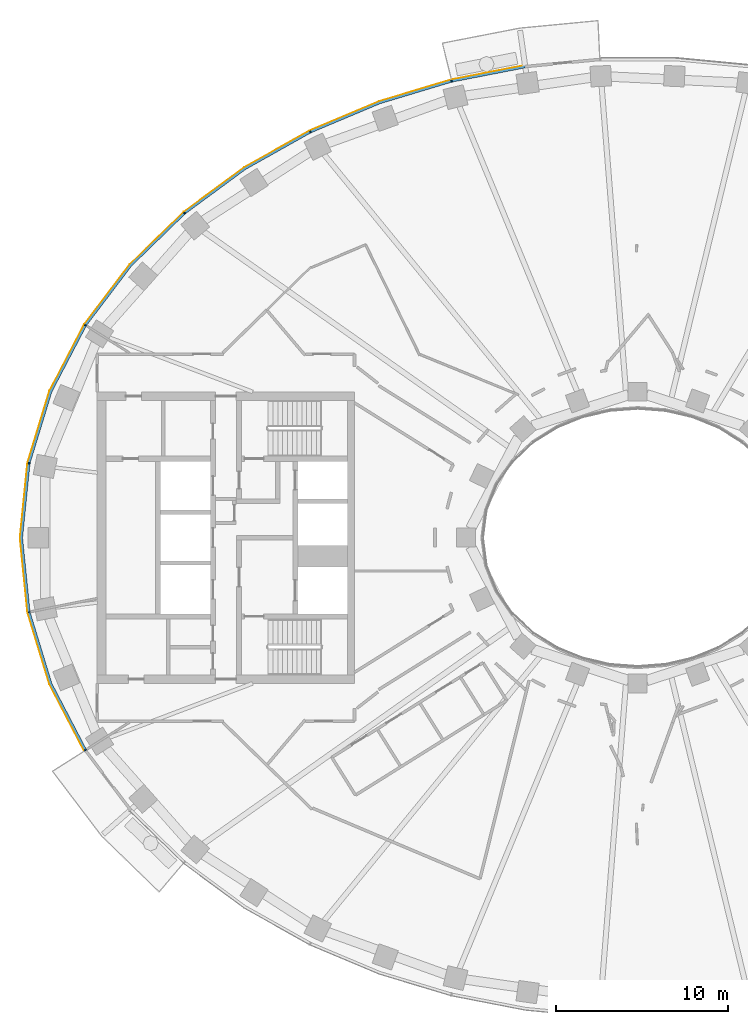
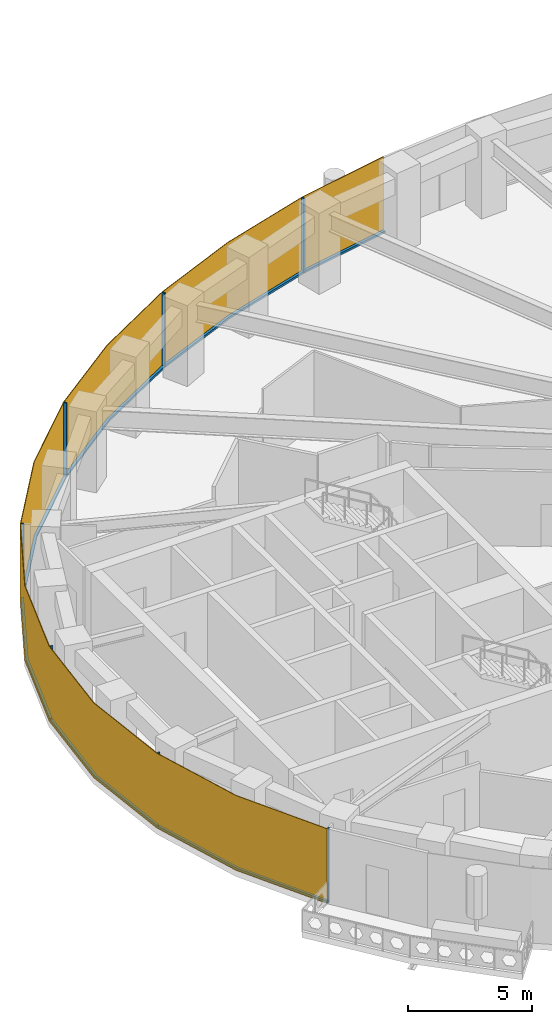
# One storey, part 11 of 16: 14 members, 1 curtain wall.
"""IFC4 building model written with IfcOpenShell, lengths in metres."""

from ifc_helpers import new_model, si_unit, direction, frame, origin, origin_2d, place, context, subcontext, project, spatial, polyline, rectangle, outline, extrude, material, layer, layer_set, material_profile, profile_set, type_object, element, aggregate, save


model = new_model("IFC4")

# Units and contexts
model_context = context("Model", 3, precision=1e-05, world=origin(), true_north=direction((0.0, 1.0)))
body_context = subcontext(model_context, "Body", "Model", "MODEL_VIEW")
ifc_project = project(units=[si_unit("LENGTHUNIT", "METRE"), si_unit("AREAUNIT", "SQUARE_METRE"), si_unit("VOLUMEUNIT", "CUBIC_METRE"), si_unit("PLANEANGLEUNIT", "RADIAN"), si_unit("MASSUNIT", "GRAM", prefix="KILO")], contexts=[model_context])

# Member
ifc_material_1 = material(Name="Aluminium 6063-T6 black anodised", Category="aluminium")
ifc_material_profile = material_profile(ifc_material_1, rectangle(XDim=0.1201171875, YDim=0.06005859375, at=origin_2d()), Name="120x60")
ifc_profile_set = profile_set([ifc_material_profile], Name="Aluminium 6063-T6 black anodised")
member_type_1 = type_object("IfcMemberType", Name="ENV-MULLION-A-120", PredefinedType="MULLION", material=ifc_profile_set)
site_placement = place(None, origin())
building_placement = place(site_placement, origin())
storey_placement = place(building_placement, frame((0.0, 0.0, 150.0)))
member_1_placement = place(storey_placement, frame((-10.84326171875, 26.60498046875, 0.0), z_axis=(0.0, 0.0, 1.0), x_axis=(0.239799081534, -0.970822538106, 0.0)))
member_1 = element("IfcMember", 1, at=member_1_placement, type_object=member_type_1, Name="Mullion A radial 15", PredefinedType="MULLION", context=body_context, shape_type="SweptSolid", body=[
    extrude(rectangle(XDim=0.1201171875, YDim=0.06005859375, at=origin_2d()), origin(), (0.0, 0.0, 1.0), 3.699951171875),
])

member_2_placement = place(storey_placement, frame((-19.06787109375, 23.6474609375, 0.0), z_axis=(0.0, 0.0, 1.0), x_axis=(0.439237769837, -0.898370848563, 0.0)))
member_2 = element("IfcMember", 2, at=member_2_placement, type_object=member_type_1, Name="Mullion A radial 17", PredefinedType="MULLION", context=body_context, shape_type="SweptSolid", body=[
    extrude(rectangle(XDim=0.1201171875, YDim=0.06005859375, at=origin_2d()), origin(), (0.0, 0.0, 1.0), 3.699951171875),
])

member_3_placement = place(storey_placement, frame((-26.403564453125, 18.9130859375, 0.0), z_axis=(0.0, 0.0, 1.0), x_axis=(0.646451313783, -0.762955240435, 0.0)))
member_3 = element("IfcMember", 3, at=member_3_placement, type_object=member_type_1, Name="Mullion A radial 19", PredefinedType="MULLION", context=body_context, shape_type="SweptSolid", body=[
    extrude(rectangle(XDim=0.1201171875, YDim=0.06005859375, at=origin_2d()), origin(), (0.0, 0.0, 1.0), 3.699951171875),
])

member_4_placement = place(storey_placement, frame((-32.177490234375, 12.385498046875, 0.0), z_axis=(0.0, 0.0, 1.0), x_axis=(0.844829880882, -0.53503501976, 0.0)))
member_4 = element("IfcMember", 4, at=member_4_placement, type_object=member_type_1, Name="Mullion A radial 21", PredefinedType="MULLION", context=body_context, shape_type="SweptSolid", body=[
    extrude(rectangle(XDim=0.1201171875, YDim=0.06005859375, at=origin_2d()), origin(), (0.0, 0.0, 1.0), 3.699951171875),
])

member_5_placement = place(storey_placement, frame((-35.470947265625, 4.340576171875, 0.0), z_axis=(0.0, 0.0, 1.0), x_axis=(0.980379083141, -0.19712141776, 0.0)))
member_5 = element("IfcMember", 5, at=member_5_placement, type_object=member_type_1, Name="Mullion A radial 23", PredefinedType="MULLION", context=body_context, shape_type="SweptSolid", body=[
    extrude(rectangle(XDim=0.1201171875, YDim=0.06005859375, at=origin_2d()), origin(), (0.0, 0.0, 1.0), 3.699951171875),
])

member_6_placement = place(storey_placement, frame((-35.470947265625, -4.340576171875, 0.0), z_axis=(0.0, 0.0, 1.0), x_axis=(0.980379083141, 0.19712141776, 0.0)))
member_6 = element("IfcMember", 6, at=member_6_placement, type_object=member_type_1, Name="Mullion A radial 25", PredefinedType="MULLION", context=body_context, shape_type="SweptSolid", body=[
    extrude(rectangle(XDim=0.1201171875, YDim=0.06005859375, at=origin_2d()), origin(), (0.0, 0.0, 1.0), 3.699951171875),
])

member_7_placement = place(storey_placement, frame((-32.177490234375, -12.385498046875, 0.0), z_axis=(0.0, 0.0, 1.0), x_axis=(0.844829880882, 0.53503501976, 0.0)))
member_7 = element("IfcMember", 7, at=member_7_placement, type_object=member_type_1, Name="Mullion A radial 27", PredefinedType="MULLION", context=body_context, shape_type="SweptSolid", body=[
    extrude(rectangle(XDim=0.1201171875, YDim=0.06005859375, at=origin_2d()), origin(), (0.0, 0.0, 1.0), 3.699951171875),
])

ifc_material_2 = material(Name="Aluminium 6063-T6 black anodised", Category="aluminium")
member_type_2 = type_object("IfcMemberType", Name="ENV-TRANSOM-A", PredefinedType="USERDEFINED", material=ifc_material_2)
member_8_placement = place(storey_placement, origin())
member_8 = element("IfcMember", 8, at=member_8_placement, type_object=member_type_2, Name="Transom A radial 14-15", ObjectType="TRANSOM", PredefinedType="USERDEFINED", context=body_context, shape_type="SweptSolid", body=[
    extrude(outline(polyline([(-6.57470703125, 27.49560546875), (-10.830078125, 26.66845703125), (-10.80126953125, 26.552001953125), (-6.5576171875, 27.376708984375), (-6.57470703125, 27.49560546875)])), origin(), (0.0, 0.0, 1.0), 0.10009765625),
])

member_9_placement = place(storey_placement, origin())
member_9 = element("IfcMember", 9, at=member_9_placement, type_object=member_type_2, Name="Transom A radial 15-17", ObjectType="TRANSOM", PredefinedType="USERDEFINED", context=body_context, shape_type="SweptSolid", body=[
    extrude(outline(polyline([(-10.884521484375, 26.655029296875), (-15.054443359375, 25.400146484375), (-19.068359375, 23.71240234375), (-19.015380859375, 23.604248046875), (-15.013916015625, 25.287109375), (-10.855712890625, 26.53857421875), (-10.884521484375, 26.655029296875)])), origin(), (0.0, 0.0, 1.0), 0.10009765625),
])

member_10_placement = place(storey_placement, origin())
member_10 = element("IfcMember", 10, at=member_10_placement, type_object=member_type_2, Name="Transom A radial 17-19", ObjectType="TRANSOM", PredefinedType="USERDEFINED", context=body_context, shape_type="SweptSolid", body=[
    extrude(outline(polyline([(-19.11865234375, 23.687744140625), (-22.9150390625, 21.556884765625), (-26.419921875, 18.975341796875), (-26.342041015625, 18.883544921875), (-22.85009765625, 21.455810546875), (-19.06591796875, 23.57958984375), (-19.11865234375, 23.687744140625)])), origin(), (0.0, 0.0, 1.0), 0.10009765625),
])

member_11_placement = place(storey_placement, origin())
member_11 = element("IfcMember", 11, at=member_11_placement, type_object=member_type_2, Name="Transom A radial 19-21", ObjectType="TRANSOM", PredefinedType="USERDEFINED", context=body_context, shape_type="SweptSolid", body=[
    extrude(outline(polyline([(-26.46240234375, 18.939208984375), (-29.58349609375, 15.906982421875), (-32.211181640625, 12.43994140625), (-32.109375, 12.37548828125), (-29.493408203125, 15.8271484375), (-26.384765625, 18.847412109375), (-26.46240234375, 18.939208984375)])), origin(), (0.0, 0.0, 1.0), 0.10009765625),
])

member_12_placement = place(storey_placement, origin())
member_12 = element("IfcMember", 12, at=member_12_placement, type_object=member_type_2, Name="Transom A radial 21-23", ObjectType="TRANSOM", PredefinedType="USERDEFINED", context=body_context, shape_type="SweptSolid", body=[
    extrude(outline(polyline([(-32.240966796875, 12.392578125), (-34.251220703125, 8.53662109375), (-35.521484375, 4.379150390625), (-35.4033203125, 4.355224609375), (-34.139892578125, 8.490966796875), (-32.139404296875, 12.328369140625), (-32.240966796875, 12.392578125)])), origin(), (0.0, 0.0, 1.0), 0.10009765625),
])

member_13_placement = place(storey_placement, origin())
member_13 = element("IfcMember", 13, at=member_13_placement, type_object=member_type_2, Name="Transom A radial 23-25", ObjectType="TRANSOM", PredefinedType="USERDEFINED", context=body_context, shape_type="SweptSolid", body=[
    extrude(outline(polyline([(-35.532470703125, 4.324462890625), (-35.9677734375, 0.0), (-35.532470703125, -4.324462890625), (-35.414306640625, -4.30078125), (-35.84716796875, 0.0), (-35.414306640625, 4.30078125), (-35.532470703125, 4.324462890625)])), origin(), (0.0, 0.0, 1.0), 0.10009765625),
])

member_14_placement = place(storey_placement, origin())
member_14 = element("IfcMember", 14, at=member_14_placement, type_object=member_type_2, Name="Transom A radial 25-27", ObjectType="TRANSOM", PredefinedType="USERDEFINED", context=body_context, shape_type="SweptSolid", body=[
    extrude(outline(polyline([(-35.521484375, -4.379150390625), (-34.251220703125, -8.53662109375), (-32.240966796875, -12.392578125), (-32.139404296875, -12.328369140625), (-34.139892578125, -8.490966796875), (-35.4033203125, -4.355224609375), (-35.521484375, -4.379150390625)])), origin(), (0.0, 0.0, 1.0), 0.10009765625),
])

# Site, building, storey
site = spatial("IfcSite", under=ifc_project, at=site_placement, CompositionType="ELEMENT")
building = spatial("IfcBuilding", under=site, at=building_placement, Name="Noorbagh Ring Tower", CompositionType="ELEMENT")
storey = spatial("IfcBuildingStorey", under=building, at=storey_placement, Name="L34", CompositionType="ELEMENT", Elevation=150.0)

# Curtain wall
ifc_material_3 = material(Name="Glass dark tinted laminated", Category="glass")
ifc_layer = layer(ifc_material_3, 0.031982421875)
ifc_layer_set = layer_set([ifc_layer], Name="Glass dark tinted laminated")
curtain_wall_type = type_object("IfcCurtainWallType", Name="ENV-CW-A", PredefinedType="NOTDEFINED", material=ifc_layer_set)
curtain_wall_placement = place(storey_placement, origin())
curtain_wall = element("IfcCurtainWall", 15, at=curtain_wall_placement, inside=storey, type_object=curtain_wall_type, Name="Curtain wall A R14", PredefinedType="NOTDEFINED", context=body_context, shape_type="SweptSolid", body=[
    extrude(outline(polyline([(-6.579345703125, 27.52734375), (-10.865234375, 26.6943359375), (-15.065185546875, 25.430419921875), (-19.108154296875, 23.730224609375), (-22.9326171875, 21.583740234375), (-26.463134765625, 18.9833984375), (-29.607666015625, 15.927978515625), (-32.255126953125, 12.434814453125), (-34.281005859375, 8.548828125), (-35.561279296875, 4.358642578125), (-36.0, 0.0), (-35.561279296875, -4.358642578125), (-34.281005859375, -8.548828125), (-32.264404296875, -12.4169921875), (-32.2373046875, -12.39990234375), (-34.251220703125, -8.53662109375), (-35.529541015625, -4.352294921875), (-35.9677734375, 0.0), (-35.529541015625, 4.352294921875), (-34.251220703125, 8.53662109375), (-32.22802734375, 12.41748046875), (-29.58349609375, 15.906982421875), (-26.4423828125, 18.958740234375), (-22.9150390625, 21.556884765625), (-19.093994140625, 23.701416015625), (-15.054443359375, 25.400146484375), (-10.857666015625, 26.6630859375), (-6.57470703125, 27.49560546875), (-6.579345703125, 27.52734375)])), origin(), (0.0, 0.0, 1.0), 3.699951171875),
])

aggregate(curtain_wall, [member_1, member_2, member_3, member_4, member_5, member_6, member_7, member_8, member_9, member_10, member_11, member_12, member_13, member_14])

save(model, "model.ifc")
